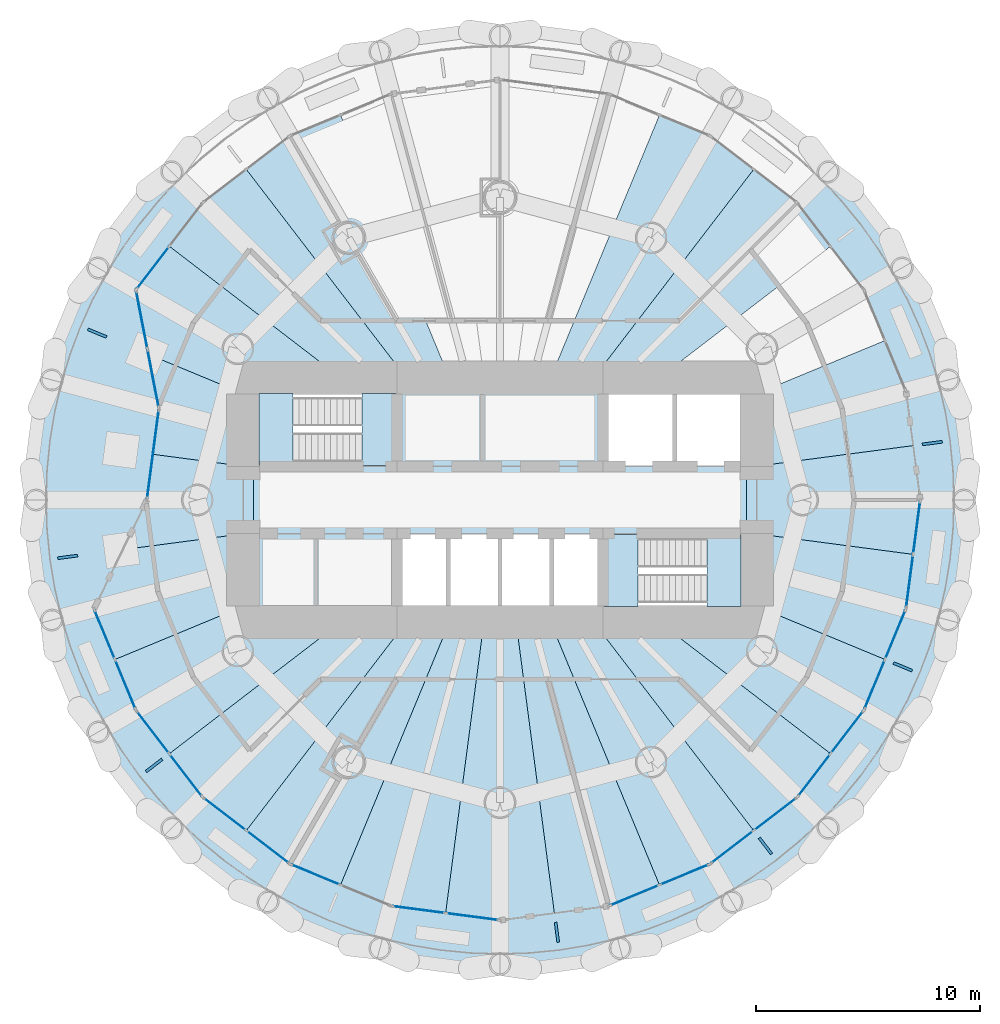
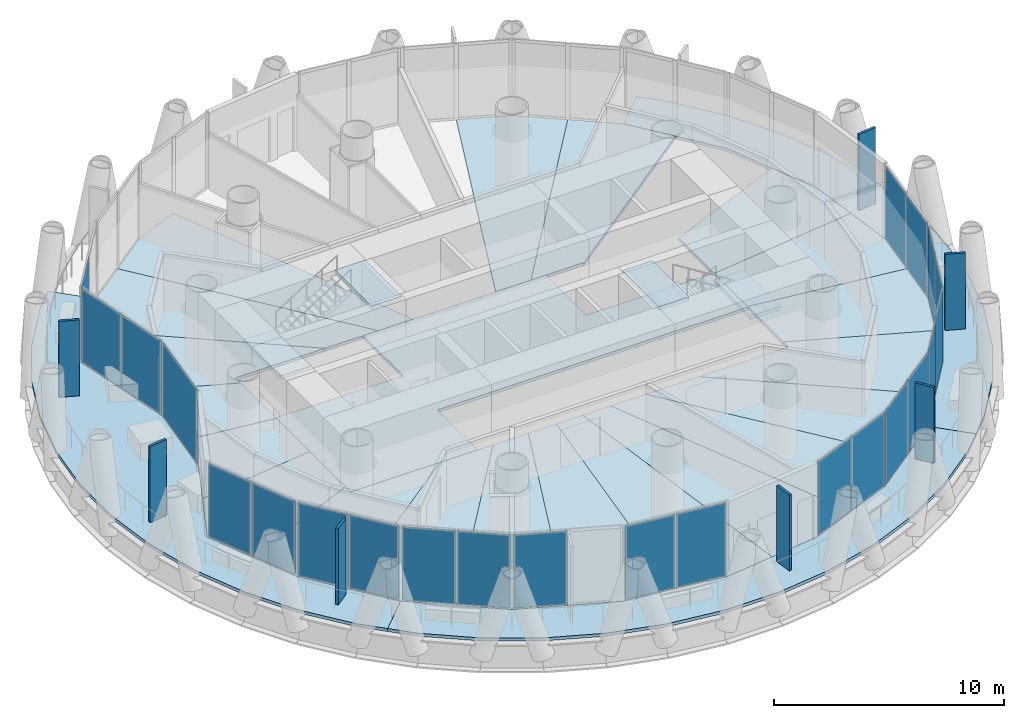
# One storey, part 7 of 15: 30 plates, 28 slabs, 15 elements without a shape of their own.
"""IFC4 building model written with IfcOpenShell, lengths in metres."""

from ifc_helpers import new_model, si_unit, direction, frame, origin, origin_2d, place, context, subcontext, project, spatial, polyline, rectangle, outline, extrude, material, layer, layer_set, type_object, element, aggregate, save


model = new_model("IFC4")

# Units and contexts
model_context = context("Model", 3, precision=1e-05, world=origin(), true_north=direction((0.0, 1.0)))
body_context = subcontext(model_context, "Body", "Model", "MODEL_VIEW")
ifc_project = project(units=[si_unit("LENGTHUNIT", "METRE"), si_unit("AREAUNIT", "SQUARE_METRE"), si_unit("VOLUMEUNIT", "CUBIC_METRE"), si_unit("PLANEANGLEUNIT", "RADIAN"), si_unit("MASSUNIT", "GRAM", prefix="KILO")], contexts=[model_context])

# Site, building, storey
site_placement = place(None, origin())
site = spatial("IfcSite", under=ifc_project, at=site_placement, CompositionType="ELEMENT")
building_placement = place(site_placement, origin())
building = spatial("IfcBuilding", under=site, at=building_placement, Name="Qaws Media Tower", CompositionType="ELEMENT")
storey_placement = place(building_placement, frame((0.0, 0.0, 273.800048828125)))
storey = spatial("IfcBuildingStorey", under=building, at=storey_placement, Name="L63", CompositionType="ELEMENT", Elevation=273.800048828125)

# Slabs
ifc_material_1 = material(Name="Concrete C35/45", Category="concrete")
ifc_layer_1 = layer(ifc_material_1, 0.159912109375)
ifc_layer_set_1 = layer_set([ifc_layer_1], Name="Composite balcony slab 160")
slab_type_1 = type_object("IfcSlabType", Name="Composite balcony slab 160", PredefinedType="FLOOR", material=ifc_layer_set_1)
slab_1_placement = place(storey_placement, frame((0.0, 0.0, -0.16015625)))
element("IfcSlab", 1, at=slab_1_placement, inside=storey, type_object=slab_type_1, Name="S2 balcony slab L63 R10 to R16, movement joints on R10 and R16", PredefinedType="FLOOR", context=body_context, shape_type="SweptSolid", body=[
    extrude(outline(polyline([(44.2490234375, 36.186767578125), (42.580810546875, 38.36083984375), (41.21044921875, 40.734130859375), (40.161865234375, 43.265869140625), (39.452392578125, 45.912841796875), (39.094970703125, 48.6298828125), (39.094970703125, 51.3701171875), (39.452392578125, 54.087158203125), (40.161865234375, 56.734130859375), (41.21044921875, 59.265869140625), (42.580810546875, 61.63916015625), (44.2490234375, 63.813232421875), (45.2177734375, 64.7822265625), (46.74169921875, 63.25830078125), (43.761962890625, 59.375), (44.78662109375, 54.076416015625), (44.25, 50.0), (41.888916015625, 45.147216796875), (43.761962890625, 40.625), (46.74169921875, 36.74169921875), (45.2177734375, 35.2177734375), (44.2490234375, 36.186767578125)])), origin(), (0.0, 0.0, 1.0), 0.16015625),
])
slab_2_placement = place(storey_placement, frame((0.0, 0.0, -0.16015625)))
element("IfcSlab", 2, at=slab_2_placement, inside=storey, type_object=slab_type_1, Name="S2 balcony slab L63 R16 to R22, movement joints on R16 and R22", PredefinedType="FLOOR", context=body_context, shape_type="SweptSolid", body=[
    extrude(outline(polyline([(73.813232421875, 34.2490234375), (71.63916015625, 32.580810546875), (69.265869140625, 31.21044921875), (66.734130859375, 30.161865234375), (64.087158203125, 29.452392578125), (61.3701171875, 29.094970703125), (58.6298828125, 29.094970703125), (55.912841796875, 29.452392578125), (53.265869140625, 30.161865234375), (50.734130859375, 31.21044921875), (48.36083984375, 32.580810546875), (46.186767578125, 34.2490234375), (45.2177734375, 35.2177734375), (46.74169921875, 36.74169921875), (50.625, 33.761962890625), (55.147216796875, 31.888916015625), (60.0, 31.25), (64.852783203125, 31.888916015625), (69.375, 33.761962890625), (73.25830078125, 36.74169921875), (74.7822265625, 35.2177734375), (73.813232421875, 34.2490234375)])), origin(), (0.0, 0.0, 1.0), 0.16015625),
])
slab_3_placement = place(storey_placement, frame((0.0, 0.0, -0.16015625)))
element("IfcSlab", 3, at=slab_3_placement, inside=storey, type_object=slab_type_1, Name="S2 balcony slab L63 R22 to R04, movement joints on R22 and R04", PredefinedType="FLOOR", context=body_context, shape_type="SweptSolid", body=[
    extrude(outline(polyline([(80.547607421875, 45.912841796875), (79.838134765625, 43.265869140625), (78.78955078125, 40.734130859375), (77.419189453125, 38.36083984375), (75.7509765625, 36.186767578125), (74.7822265625, 35.2177734375), (73.25830078125, 36.74169921875), (76.238037109375, 40.625), (78.111083984375, 45.147216796875), (78.75, 50.0), (78.111083984375, 54.852783203125), (76.238037109375, 59.375), (73.25830078125, 63.25830078125), (74.7822265625, 64.7822265625), (75.7509765625, 63.813232421875), (77.419189453125, 61.63916015625), (78.78955078125, 59.265869140625), (79.838134765625, 56.734130859375), (80.547607421875, 54.087158203125), (80.905029296875, 51.3701171875), (80.905029296875, 48.6298828125), (80.547607421875, 45.912841796875)])), origin(), (0.0, 0.0, 1.0), 0.16015625),
])
ifc_material_2 = material(Name="Concrete C35/45", Category="concrete")
ifc_layer_2 = layer(ifc_material_2, 0.159912109375)
ifc_layer_set_2 = layer_set([ifc_layer_2], Name="Composite floor slab 160")
slab_type_2 = type_object("IfcSlabType", Name="Composite floor slab 160", PredefinedType="FLOOR", material=ifc_layer_set_2)
slab_4_placement = place(storey_placement, frame((0.0, 0.0, -0.16015625)))
element("IfcSlab", 4, at=slab_4_placement, inside=storey, type_object=slab_type_2, Name="S1 core floor slab L63", PredefinedType="FLOOR", context=body_context, shape_type="SweptSolid", body=[
    extrude(outline(polyline([(71.0, 51.5), (71.0, 48.5), (55.39990234375, 48.5), (55.39990234375, 45.0), (49.0, 45.0), (49.0, 51.5), (55.39990234375, 51.5), (55.39990234375, 55.0), (64.60009765625, 55.0), (64.60009765625, 51.5), (71.0, 51.5)])), origin(), (0.0, 0.0, 1.0), 0.16015625),
])
slab_5_placement = place(storey_placement, frame((0.0, 0.0, -0.16015625)))
element("IfcSlab", 5, at=slab_5_placement, inside=storey, type_object=slab_type_2, Name="S1 floor panel L63 on R01", PredefinedType="FLOOR", context=body_context, shape_type="SweptSolid", body=[
    extrude(outline(polyline([(78.75, 50.0), (78.4306640625, 47.573486328125), (71.0, 48.5517578125), (71.0, 51.4482421875), (78.4306640625, 52.426513671875), (78.75, 50.0)])), origin(), (0.0, 0.0, 1.0), 0.16015625),
])
slab_6_placement = place(storey_placement, frame((0.0, 0.0, -0.16015625)))
element("IfcSlab", 6, at=slab_6_placement, inside=storey, type_object=slab_type_2, Name="S1 floor panel L63 on R02", PredefinedType="FLOOR", context=body_context, shape_type="SweptSolid", body=[
    extrude(outline(polyline([(78.111083984375, 54.852783203125), (78.4306640625, 52.426513671875), (71.0, 51.4482421875), (71.0, 54.556396484375), (77.174560546875, 57.114013671875), (78.111083984375, 54.852783203125)])), origin(), (0.0, 0.0, 1.0), 0.16015625),
])
slab_7_placement = place(storey_placement, frame((0.0, 0.0, -0.16015625)))
element("IfcSlab", 7, at=slab_7_placement, inside=storey, type_object=slab_type_2, Name="S1 floor panel L63 on R04", PredefinedType="FLOOR", context=body_context, shape_type="SweptSolid", body=[
    extrude(outline(polyline([(73.25830078125, 63.25830078125), (74.748046875, 61.316650390625), (66.51611328125, 55.0), (63.836669921875, 55.0), (71.316650390625, 64.748046875), (73.25830078125, 63.25830078125)])), origin(), (0.0, 0.0, 1.0), 0.16015625),
])
slab_8_placement = place(storey_placement, frame((0.0, 0.0, -0.16015625)))
element("IfcSlab", 8, at=slab_8_placement, inside=storey, type_object=slab_type_2, Name="S1 floor panel L63 on R05", PredefinedType="FLOOR", context=body_context, shape_type="SweptSolid", body=[
    extrude(outline(polyline([(69.375, 66.238037109375), (71.316650390625, 64.748046875), (63.836669921875, 55.0), (62.071044921875, 55.0), (67.114013671875, 67.174560546875), (69.375, 66.238037109375)])), origin(), (0.0, 0.0, 1.0), 0.16015625),
])
slab_9_placement = place(storey_placement, frame((0.0, 0.0, -0.16015625)))
element("IfcSlab", 9, at=slab_9_placement, inside=storey, type_object=slab_type_2, Name="S1 floor panel L63 on R09", PredefinedType="FLOOR", context=body_context, shape_type="SweptSolid", body=[
    extrude(outline(polyline([(50.625, 66.238037109375), (52.885986328125, 67.174560546875), (57.928955078125, 55.0), (56.163330078125, 55.0), (48.683349609375, 64.748046875), (50.625, 66.238037109375)])), origin(), (0.0, 0.0, 1.0), 0.16015625),
])
slab_10_placement = place(storey_placement, frame((0.0, 0.0, -0.16015625)))
element("IfcSlab", 10, at=slab_10_placement, inside=storey, type_object=slab_type_2, Name="S1 floor panel L63 on R10", PredefinedType="FLOOR", context=body_context, shape_type="SweptSolid", body=[
    extrude(outline(polyline([(46.74169921875, 63.25830078125), (48.683349609375, 64.748046875), (56.163330078125, 55.0), (53.48388671875, 55.0), (45.251953125, 61.316650390625), (46.74169921875, 63.25830078125)])), origin(), (0.0, 0.0, 1.0), 0.16015625),
])
slab_11_placement = place(storey_placement, frame((0.0, 0.0, -0.16015625)))
element("IfcSlab", 11, at=slab_11_placement, inside=storey, type_object=slab_type_2, Name="S1 floor panel L63 on R11", PredefinedType="FLOOR", context=body_context, shape_type="SweptSolid", body=[
    extrude(outline(polyline([(43.761962890625, 59.375), (45.251953125, 61.316650390625), (53.48388671875, 55.0), (49.0, 55.0), (49.0, 54.556396484375), (44.31884765625, 56.495361328125), (43.761962890625, 59.375)])), origin(), (0.0, 0.0, 1.0), 0.16015625),
])
slab_12_placement = place(storey_placement, frame((0.0, 0.0, -0.16015625)))
element("IfcSlab", 12, at=slab_12_placement, inside=storey, type_object=slab_type_2, Name="S1 floor panel L63 on R12", PredefinedType="FLOOR", context=body_context, shape_type="SweptSolid", body=[
    extrude(outline(polyline([(44.78662109375, 54.076416015625), (44.31884765625, 56.495361328125), (49.0, 54.556396484375), (49.0, 51.4482421875), (44.518310546875, 52.0380859375), (44.78662109375, 54.076416015625)])), origin(), (0.0, 0.0, 1.0), 0.16015625),
])
slab_13_placement = place(storey_placement, frame((0.0, 0.0, -0.16015625)))
element("IfcSlab", 13, at=slab_13_placement, inside=storey, type_object=slab_type_2, Name="S1 floor panel L63 on R13", PredefinedType="FLOOR", context=body_context, shape_type="SweptSolid", body=[
    extrude(outline(polyline([(44.25, 50.0), (44.518310546875, 52.0380859375), (49.0, 51.4482421875), (49.0, 48.5517578125), (43.172119140625, 47.78466796875), (44.25, 50.0)])), origin(), (0.0, 0.0, 1.0), 0.16015625),
])
slab_14_placement = place(storey_placement, frame((0.0, 0.0, -0.16015625)))
element("IfcSlab", 14, at=slab_14_placement, inside=storey, type_object=slab_type_2, Name="S1 floor panel L63 on R14", PredefinedType="FLOOR", context=body_context, shape_type="SweptSolid", body=[
    extrude(outline(polyline([(41.888916015625, 45.147216796875), (43.172119140625, 47.78466796875), (49.0, 48.5517578125), (49.0, 45.443603515625), (42.825439453125, 42.885986328125), (41.888916015625, 45.147216796875)])), origin(), (0.0, 0.0, 1.0), 0.16015625),
])
slab_15_placement = place(storey_placement, frame((0.0, 0.0, -0.16015625)))
element("IfcSlab", 15, at=slab_15_placement, inside=storey, type_object=slab_type_2, Name="S1 floor panel L63 on R15", PredefinedType="FLOOR", context=body_context, shape_type="SweptSolid", body=[
    extrude(outline(polyline([(43.761962890625, 40.625), (42.825439453125, 42.885986328125), (49.0, 45.443603515625), (49.0, 45.0), (53.48388671875, 45.0), (45.251953125, 38.683349609375), (43.761962890625, 40.625)])), origin(), (0.0, 0.0, 1.0), 0.16015625),
])
slab_16_placement = place(storey_placement, frame((0.0, 0.0, -0.16015625)))
element("IfcSlab", 16, at=slab_16_placement, inside=storey, type_object=slab_type_2, Name="S1 floor panel L63 on R16", PredefinedType="FLOOR", context=body_context, shape_type="SweptSolid", body=[
    extrude(outline(polyline([(46.74169921875, 36.74169921875), (45.251953125, 38.683349609375), (53.48388671875, 45.0), (56.163330078125, 45.0), (48.683349609375, 35.251953125), (46.74169921875, 36.74169921875)])), origin(), (0.0, 0.0, 1.0), 0.16015625),
])
slab_17_placement = place(storey_placement, frame((0.0, 0.0, -0.16015625)))
element("IfcSlab", 17, at=slab_17_placement, inside=storey, type_object=slab_type_2, Name="S1 floor panel L63 on R17", PredefinedType="FLOOR", context=body_context, shape_type="SweptSolid", body=[
    extrude(outline(polyline([(50.625, 33.761962890625), (48.683349609375, 35.251953125), (56.163330078125, 45.0), (57.928955078125, 45.0), (52.885986328125, 32.825439453125), (50.625, 33.761962890625)])), origin(), (0.0, 0.0, 1.0), 0.16015625),
])
slab_18_placement = place(storey_placement, frame((0.0, 0.0, -0.16015625)))
element("IfcSlab", 18, at=slab_18_placement, inside=storey, type_object=slab_type_2, Name="S1 floor panel L63 on R18", PredefinedType="FLOOR", context=body_context, shape_type="SweptSolid", body=[
    extrude(outline(polyline([(55.147216796875, 31.888916015625), (52.885986328125, 32.825439453125), (57.928955078125, 45.0), (59.341796875, 45.0), (57.573486328125, 31.5693359375), (55.147216796875, 31.888916015625)])), origin(), (0.0, 0.0, 1.0), 0.16015625),
])
slab_19_placement = place(storey_placement, frame((0.0, 0.0, -0.16015625)))
element("IfcSlab", 19, at=slab_19_placement, inside=storey, type_object=slab_type_2, Name="S1 floor panel L63 on R19", PredefinedType="FLOOR", context=body_context, shape_type="SweptSolid", body=[
    extrude(outline(polyline([(60.0, 31.25), (57.573486328125, 31.5693359375), (59.341796875, 45.0), (60.658203125, 45.0), (62.426513671875, 31.5693359375), (60.0, 31.25)])), origin(), (0.0, 0.0, 1.0), 0.16015625),
])
slab_20_placement = place(storey_placement, frame((0.0, 0.0, -0.16015625)))
element("IfcSlab", 20, at=slab_20_placement, inside=storey, type_object=slab_type_2, Name="S1 floor panel L63 on R20", PredefinedType="FLOOR", context=body_context, shape_type="SweptSolid", body=[
    extrude(outline(polyline([(64.852783203125, 31.888916015625), (62.426513671875, 31.5693359375), (60.658203125, 45.0), (62.071044921875, 45.0), (67.114013671875, 32.825439453125), (64.852783203125, 31.888916015625)])), origin(), (0.0, 0.0, 1.0), 0.16015625),
])
slab_21_placement = place(storey_placement, frame((0.0, 0.0, -0.16015625)))
element("IfcSlab", 21, at=slab_21_placement, inside=storey, type_object=slab_type_2, Name="S1 floor panel L63 on R21", PredefinedType="FLOOR", context=body_context, shape_type="SweptSolid", body=[
    extrude(outline(polyline([(69.375, 33.761962890625), (67.114013671875, 32.825439453125), (62.071044921875, 45.0), (63.836669921875, 45.0), (71.316650390625, 35.251953125), (69.375, 33.761962890625)])), origin(), (0.0, 0.0, 1.0), 0.16015625),
])
slab_22_placement = place(storey_placement, frame((0.0, 0.0, -0.16015625)))
element("IfcSlab", 22, at=slab_22_placement, inside=storey, type_object=slab_type_2, Name="S1 floor panel L63 on R22", PredefinedType="FLOOR", context=body_context, shape_type="SweptSolid", body=[
    extrude(outline(polyline([(73.25830078125, 36.74169921875), (71.316650390625, 35.251953125), (63.836669921875, 45.0), (66.51611328125, 45.0), (74.748046875, 38.683349609375), (73.25830078125, 36.74169921875)])), origin(), (0.0, 0.0, 1.0), 0.16015625),
])
slab_23_placement = place(storey_placement, frame((0.0, 0.0, -0.16015625)))
element("IfcSlab", 23, at=slab_23_placement, inside=storey, type_object=slab_type_2, Name="S1 floor panel L63 on R23", PredefinedType="FLOOR", context=body_context, shape_type="SweptSolid", body=[
    extrude(outline(polyline([(76.238037109375, 40.625), (74.748046875, 38.683349609375), (66.51611328125, 45.0), (71.0, 45.0), (71.0, 45.443603515625), (77.174560546875, 42.885986328125), (76.238037109375, 40.625)])), origin(), (0.0, 0.0, 1.0), 0.16015625),
])
slab_24_placement = place(storey_placement, frame((0.0, 0.0, -0.16015625)))
element("IfcSlab", 24, at=slab_24_placement, inside=storey, type_object=slab_type_2, Name="S1 floor panel L63 on R24", PredefinedType="FLOOR", context=body_context, shape_type="SweptSolid", body=[
    extrude(outline(polyline([(77.174560546875, 42.885986328125), (71.0, 45.443603515625), (71.0, 48.5517578125), (78.4306640625, 47.573486328125), (78.111083984375, 45.147216796875), (77.174560546875, 42.885986328125)])), origin(), (0.0, 0.0, 1.0), 0.16015625),
])

# Curtain wall, plate
ifc_material_3 = material(Name="Aluminium and clear glass", Category="aluminium")
curtain_wall_type_1 = type_object("IfcCurtainWallType", Name="Unitised curtain wall CW-D", PredefinedType="NOTDEFINED", material=ifc_material_3)
curtain_wall_1_placement = place(storey_placement, origin())
curtain_wall_1 = element("IfcCurtainWall", 25, at=curtain_wall_1_placement, inside=storey, type_object=curtain_wall_type_1, Name="CWD curtain wall L63-10", PredefinedType="NOTDEFINED")
ifc_material_4 = material(Name="Clear laminated double glazing", Category="glass")
ifc_layer_3 = layer(ifc_material_4, 0.031982421875)
ifc_layer_set_3 = layer_set([ifc_layer_3], Name="Curtain wall glass unit 32")
plate_type_1 = type_object("IfcPlateType", Name="Curtain wall glass unit 32", PredefinedType="CURTAIN_PANEL", material=ifc_layer_set_3)
plate_1_placement = place(storey_placement, frame((44.51904296875, 60.361572265625, 0.080078125), z_axis=(0.0, 0.0, 1.0), x_axis=(-0.608761421199, -0.793353346284, 0.0)))
plate_1 = element("IfcPlate", 26, at=plate_1_placement, type_object=plate_type_1, Name="CWD panel 2.1", PredefinedType="CURTAIN_PANEL", context=body_context, shape_type="SweptSolid", body=[
    extrude(rectangle(XDim=2.327392578125, YDim=0.031982421875, at=origin_2d()), origin(), (0.0, 0.0, 1.0), 3.8798828125),
])
aggregate(curtain_wall_1, [plate_1])

# Curtain wall, plates
ifc_material_5 = material(Name="Aluminium and clear glass", Category="aluminium")
curtain_wall_type_2 = type_object("IfcCurtainWallType", Name="Loggia curtain wall CW-G", PredefinedType="NOTDEFINED", material=ifc_material_5)
curtain_wall_2_placement = place(storey_placement, origin())
curtain_wall_2 = element("IfcCurtainWall", 27, at=curtain_wall_2_placement, inside=storey, type_object=curtain_wall_type_2, Name="CWG curtain wall L63-11", PredefinedType="NOTDEFINED")
plate_2_placement = place(storey_placement, frame((44.02197265625, 58.03076171875, 0.080078125), z_axis=(0.0, 0.0, 1.0), x_axis=(0.189862680144, -0.981810655212, 0.0)))
plate_2 = element("IfcPlate", 28, at=plate_2_placement, type_object=plate_type_1, Name="CWG panel 1.1", PredefinedType="CURTAIN_PANEL", context=body_context, shape_type="SweptSolid", body=[
    extrude(rectangle(XDim=2.578369140625, YDim=0.031982421875, at=origin_2d()), origin(), (0.0, 0.0, 1.0), 3.8798828125),
])
plate_3_placement = place(storey_placement, frame((44.526611328125, 55.420654296875, 0.080078125), z_axis=(0.0, 0.0, 1.0), x_axis=(0.189862680144, -0.981810655212, 0.0)))
plate_3 = element("IfcPlate", 29, at=plate_3_placement, type_object=plate_type_1, Name="CWG panel 2.1", PredefinedType="CURTAIN_PANEL", context=body_context, shape_type="SweptSolid", body=[
    extrude(rectangle(XDim=2.578369140625, YDim=0.031982421875, at=origin_2d()), origin(), (0.0, 0.0, 1.0), 3.8798828125),
])
aggregate(curtain_wall_2, [plate_2, plate_3])

# Curtain wall, plate
curtain_wall_3_placement = place(storey_placement, origin())
curtain_wall_3 = element("IfcCurtainWall", 30, at=curtain_wall_3_placement, inside=storey, type_object=curtain_wall_type_2, Name="CWG curtain wall L63-12", PredefinedType="NOTDEFINED")
plate_4_placement = place(storey_placement, frame((44.518310546875, 52.0380859375, 0.080078125), z_axis=(0.0, 0.0, 1.0), x_axis=(-0.130526134563, -0.991444868964, 0.0)))
plate_4 = element("IfcPlate", 31, at=plate_4_placement, type_object=plate_type_1, Name="CWG panel 1.1", PredefinedType="CURTAIN_PANEL", context=body_context, shape_type="SweptSolid", body=[
    extrude(rectangle(XDim=3.95166015625, YDim=0.031982421875, at=origin_2d()), origin(), (0.0, 0.0, 1.0), 3.8798828125),
])
aggregate(curtain_wall_3, [plate_4])

# Curtain wall, plates
curtain_wall_4_placement = place(storey_placement, origin())
curtain_wall_4 = element("IfcCurtainWall", 32, at=curtain_wall_4_placement, inside=storey, type_object=curtain_wall_type_1, Name="CWD curtain wall L63-14", PredefinedType="NOTDEFINED")
plate_5_placement = place(storey_placement, frame((42.36474609375, 43.998046875, 0.080078125), z_axis=(0.0, 0.0, 1.0), x_axis=(0.382683439057, -0.923879529739, 0.0)))
plate_5 = element("IfcPlate", 33, at=plate_5_placement, type_object=plate_type_1, Name="CWD panel 1.1", PredefinedType="CURTAIN_PANEL", context=body_context, shape_type="SweptSolid", body=[
    extrude(rectangle(XDim=2.327392578125, YDim=0.031982421875, at=origin_2d()), origin(), (0.0, 0.0, 1.0), 3.8798828125),
])
plate_6_placement = place(storey_placement, frame((43.2861328125, 41.77392578125, 0.080078125), z_axis=(0.0, 0.0, 1.0), x_axis=(0.382683439057, -0.923879529739, 0.0)))
plate_6 = element("IfcPlate", 34, at=plate_6_placement, type_object=plate_type_1, Name="CWD panel 2.1", PredefinedType="CURTAIN_PANEL", context=body_context, shape_type="SweptSolid", body=[
    extrude(rectangle(XDim=2.327392578125, YDim=0.031982421875, at=origin_2d()), origin(), (0.0, 0.0, 1.0), 3.8798828125),
])
aggregate(curtain_wall_4, [plate_5, plate_6])

curtain_wall_5_placement = place(storey_placement, origin())
curtain_wall_5 = element("IfcCurtainWall", 35, at=curtain_wall_5_placement, inside=storey, type_object=curtain_wall_type_1, Name="CWD curtain wall L63-15", PredefinedType="NOTDEFINED")
plate_7_placement = place(storey_placement, frame((44.51904296875, 39.638427734375, 0.080078125), z_axis=(0.0, 0.0, 1.0), x_axis=(0.608761421199, -0.793353346284, 0.0)))
plate_7 = element("IfcPlate", 36, at=plate_7_placement, type_object=plate_type_1, Name="CWD panel 1.1", PredefinedType="CURTAIN_PANEL", context=body_context, shape_type="SweptSolid", body=[
    extrude(rectangle(XDim=2.327392578125, YDim=0.031982421875, at=origin_2d()), origin(), (0.0, 0.0, 1.0), 3.8798828125),
])
plate_8_placement = place(storey_placement, frame((45.984619140625, 37.728515625, 0.080078125), z_axis=(0.0, 0.0, 1.0), x_axis=(0.608761421199, -0.793353346284, 0.0)))
plate_8 = element("IfcPlate", 37, at=plate_8_placement, type_object=plate_type_1, Name="CWD panel 2.1", PredefinedType="CURTAIN_PANEL", context=body_context, shape_type="SweptSolid", body=[
    extrude(rectangle(XDim=2.327392578125, YDim=0.031982421875, at=origin_2d()), origin(), (0.0, 0.0, 1.0), 3.8798828125),
])
aggregate(curtain_wall_5, [plate_7, plate_8])

curtain_wall_6_placement = place(storey_placement, origin())
curtain_wall_6 = element("IfcCurtainWall", 38, at=curtain_wall_6_placement, inside=storey, type_object=curtain_wall_type_1, Name="CWD curtain wall L63-16", PredefinedType="NOTDEFINED")
plate_9_placement = place(storey_placement, frame((47.728515625, 35.984619140625, 0.080078125), z_axis=(0.0, 0.0, 1.0), x_axis=(0.793353346284, -0.608761421199, 0.0)))
plate_9 = element("IfcPlate", 39, at=plate_9_placement, type_object=plate_type_1, Name="CWD panel 1.1", PredefinedType="CURTAIN_PANEL", context=body_context, shape_type="SweptSolid", body=[
    extrude(rectangle(XDim=2.327392578125, YDim=0.031982421875, at=origin_2d()), origin(), (0.0, 0.0, 1.0), 3.8798828125),
])
plate_10_placement = place(storey_placement, frame((49.638427734375, 34.51904296875, 0.080078125), z_axis=(0.0, 0.0, 1.0), x_axis=(0.793353346284, -0.608761421199, 0.0)))
plate_10 = element("IfcPlate", 40, at=plate_10_placement, type_object=plate_type_1, Name="CWD panel 2.1", PredefinedType="CURTAIN_PANEL", context=body_context, shape_type="SweptSolid", body=[
    extrude(rectangle(XDim=2.327392578125, YDim=0.031982421875, at=origin_2d()), origin(), (0.0, 0.0, 1.0), 3.8798828125),
])
aggregate(curtain_wall_6, [plate_9, plate_10])

# Curtain wall, plate
curtain_wall_7_placement = place(storey_placement, origin())
curtain_wall_7 = element("IfcCurtainWall", 41, at=curtain_wall_7_placement, inside=storey, type_object=curtain_wall_type_1, Name="CWD curtain wall L63-17", PredefinedType="NOTDEFINED")
plate_11_placement = place(storey_placement, frame((51.77392578125, 33.2861328125, 0.080078125), z_axis=(0.0, 0.0, 1.0), x_axis=(0.923879529739, -0.382683439057, 0.0)))
plate_11 = element("IfcPlate", 42, at=plate_11_placement, type_object=plate_type_1, Name="CWD panel 1.1", PredefinedType="CURTAIN_PANEL", context=body_context, shape_type="SweptSolid", body=[
    extrude(rectangle(XDim=2.327392578125, YDim=0.031982421875, at=origin_2d()), origin(), (0.0, 0.0, 1.0), 3.8798828125),
])
aggregate(curtain_wall_7, [plate_11])

# Curtain wall, plates
curtain_wall_8_placement = place(storey_placement, origin())
curtain_wall_8 = element("IfcCurtainWall", 43, at=curtain_wall_8_placement, inside=storey, type_object=curtain_wall_type_1, Name="CWD curtain wall L63-18", PredefinedType="NOTDEFINED")
plate_12_placement = place(storey_placement, frame((56.380126953125, 31.7265625, 0.080078125), z_axis=(0.0, 0.0, 1.0), x_axis=(0.991444854619, -0.130526243526, 0.0)))
plate_12 = element("IfcPlate", 44, at=plate_12_placement, type_object=plate_type_1, Name="CWD panel 1.1", PredefinedType="CURTAIN_PANEL", context=body_context, shape_type="SweptSolid", body=[
    extrude(rectangle(XDim=2.327392578125, YDim=0.031982421875, at=origin_2d()), origin(), (0.0, 0.0, 1.0), 3.8798828125),
])
plate_13_placement = place(storey_placement, frame((58.766845703125, 31.412353515625, 0.080078125), z_axis=(0.0, 0.0, 1.0), x_axis=(0.991444854619, -0.130526243526, 0.0)))
plate_13 = element("IfcPlate", 45, at=plate_13_placement, type_object=plate_type_1, Name="CWD panel 2.1", PredefinedType="CURTAIN_PANEL", context=body_context, shape_type="SweptSolid", body=[
    extrude(rectangle(XDim=2.327392578125, YDim=0.031982421875, at=origin_2d()), origin(), (0.0, 0.0, 1.0), 3.8798828125),
])
aggregate(curtain_wall_8, [plate_12, plate_13])

curtain_wall_9_placement = place(storey_placement, origin())
curtain_wall_9 = element("IfcCurtainWall", 46, at=curtain_wall_9_placement, inside=storey, type_object=curtain_wall_type_1, Name="CWD curtain wall L63-20", PredefinedType="NOTDEFINED")
plate_14_placement = place(storey_placement, frame((66.001953125, 32.36474609375, 0.080078125), z_axis=(0.0, 0.0, 1.0), x_axis=(0.923879529739, 0.382683439057, 0.0)))
plate_14 = element("IfcPlate", 47, at=plate_14_placement, type_object=plate_type_1, Name="CWD panel 1.1", PredefinedType="CURTAIN_PANEL", context=body_context, shape_type="SweptSolid", body=[
    extrude(rectangle(XDim=2.327392578125, YDim=0.031982421875, at=origin_2d()), origin(), (0.0, 0.0, 1.0), 3.8798828125),
])
plate_15_placement = place(storey_placement, frame((68.22607421875, 33.2861328125, 0.080078125), z_axis=(0.0, 0.0, 1.0), x_axis=(0.923879529739, 0.382683439057, 0.0)))
plate_15 = element("IfcPlate", 48, at=plate_15_placement, type_object=plate_type_1, Name="CWD panel 2.1", PredefinedType="CURTAIN_PANEL", context=body_context, shape_type="SweptSolid", body=[
    extrude(rectangle(XDim=2.327392578125, YDim=0.031982421875, at=origin_2d()), origin(), (0.0, 0.0, 1.0), 3.8798828125),
])
aggregate(curtain_wall_9, [plate_14, plate_15])

curtain_wall_10_placement = place(storey_placement, origin())
curtain_wall_10 = element("IfcCurtainWall", 49, at=curtain_wall_10_placement, inside=storey, type_object=curtain_wall_type_1, Name="CWD curtain wall L63-21", PredefinedType="NOTDEFINED")
plate_16_placement = place(storey_placement, frame((70.361572265625, 34.51904296875, 0.080078125), z_axis=(0.0, 0.0, 1.0), x_axis=(0.793353346284, 0.608761421199, 0.0)))
plate_16 = element("IfcPlate", 50, at=plate_16_placement, type_object=plate_type_1, Name="CWD panel 1.1", PredefinedType="CURTAIN_PANEL", context=body_context, shape_type="SweptSolid", body=[
    extrude(rectangle(XDim=2.327392578125, YDim=0.031982421875, at=origin_2d()), origin(), (0.0, 0.0, 1.0), 3.8798828125),
])
plate_17_placement = place(storey_placement, frame((72.271484375, 35.984619140625, 0.080078125), z_axis=(0.0, 0.0, 1.0), x_axis=(0.793353346284, 0.608761421199, 0.0)))
plate_17 = element("IfcPlate", 51, at=plate_17_placement, type_object=plate_type_1, Name="CWD panel 2.1", PredefinedType="CURTAIN_PANEL", context=body_context, shape_type="SweptSolid", body=[
    extrude(rectangle(XDim=2.327392578125, YDim=0.031982421875, at=origin_2d()), origin(), (0.0, 0.0, 1.0), 3.8798828125),
])
aggregate(curtain_wall_10, [plate_16, plate_17])

curtain_wall_11_placement = place(storey_placement, origin())
curtain_wall_11 = element("IfcCurtainWall", 52, at=curtain_wall_11_placement, inside=storey, type_object=curtain_wall_type_1, Name="CWD curtain wall L63-22", PredefinedType="NOTDEFINED")
plate_18_placement = place(storey_placement, frame((74.015380859375, 37.728515625, 0.080078125), z_axis=(0.0, 0.0, 1.0), x_axis=(0.608761421199, 0.793353346284, 0.0)))
plate_18 = element("IfcPlate", 53, at=plate_18_placement, type_object=plate_type_1, Name="CWD panel 1.1", PredefinedType="CURTAIN_PANEL", context=body_context, shape_type="SweptSolid", body=[
    extrude(rectangle(XDim=2.327392578125, YDim=0.031982421875, at=origin_2d()), origin(), (0.0, 0.0, 1.0), 3.8798828125),
])
plate_19_placement = place(storey_placement, frame((75.48095703125, 39.638427734375, 0.080078125), z_axis=(0.0, 0.0, 1.0), x_axis=(0.608761421199, 0.793353346284, 0.0)))
plate_19 = element("IfcPlate", 54, at=plate_19_placement, type_object=plate_type_1, Name="CWD panel 2.1", PredefinedType="CURTAIN_PANEL", context=body_context, shape_type="SweptSolid", body=[
    extrude(rectangle(XDim=2.327392578125, YDim=0.031982421875, at=origin_2d()), origin(), (0.0, 0.0, 1.0), 3.8798828125),
])
aggregate(curtain_wall_11, [plate_18, plate_19])

curtain_wall_12_placement = place(storey_placement, origin())
curtain_wall_12 = element("IfcCurtainWall", 55, at=curtain_wall_12_placement, inside=storey, type_object=curtain_wall_type_1, Name="CWD curtain wall L63-23", PredefinedType="NOTDEFINED")
plate_20_placement = place(storey_placement, frame((76.7138671875, 41.77392578125, 0.080078125), z_axis=(0.0, 0.0, 1.0), x_axis=(0.382683439057, 0.923879529739, 0.0)))
plate_20 = element("IfcPlate", 56, at=plate_20_placement, type_object=plate_type_1, Name="CWD panel 1.1", PredefinedType="CURTAIN_PANEL", context=body_context, shape_type="SweptSolid", body=[
    extrude(rectangle(XDim=2.327392578125, YDim=0.031982421875, at=origin_2d()), origin(), (0.0, 0.0, 1.0), 3.8798828125),
])
plate_21_placement = place(storey_placement, frame((77.63525390625, 43.998046875, 0.080078125), z_axis=(0.0, 0.0, 1.0), x_axis=(0.382683439057, 0.923879529739, 0.0)))
plate_21 = element("IfcPlate", 57, at=plate_21_placement, type_object=plate_type_1, Name="CWD panel 2.1", PredefinedType="CURTAIN_PANEL", context=body_context, shape_type="SweptSolid", body=[
    extrude(rectangle(XDim=2.327392578125, YDim=0.031982421875, at=origin_2d()), origin(), (0.0, 0.0, 1.0), 3.8798828125),
])
aggregate(curtain_wall_12, [plate_20, plate_21])

curtain_wall_13_placement = place(storey_placement, origin())
curtain_wall_13 = element("IfcCurtainWall", 58, at=curtain_wall_13_placement, inside=storey, type_object=curtain_wall_type_1, Name="CWD curtain wall L63-24", PredefinedType="NOTDEFINED")
plate_22_placement = place(storey_placement, frame((78.2734375, 46.380126953125, 0.080078125), z_axis=(0.0, 0.0, 1.0), x_axis=(0.130526243526, 0.991444854619, 0.0)))
plate_22 = element("IfcPlate", 59, at=plate_22_placement, type_object=plate_type_1, Name="CWD panel 1.1", PredefinedType="CURTAIN_PANEL", context=body_context, shape_type="SweptSolid", body=[
    extrude(rectangle(XDim=2.327392578125, YDim=0.031982421875, at=origin_2d()), origin(), (0.0, 0.0, 1.0), 3.8798828125),
])
plate_23_placement = place(storey_placement, frame((78.587646484375, 48.766845703125, 0.080078125), z_axis=(0.0, 0.0, 1.0), x_axis=(0.130526243526, 0.991444854619, 0.0)))
plate_23 = element("IfcPlate", 60, at=plate_23_placement, type_object=plate_type_1, Name="CWD panel 2.1", PredefinedType="CURTAIN_PANEL", context=body_context, shape_type="SweptSolid", body=[
    extrude(rectangle(XDim=2.327392578125, YDim=0.031982421875, at=origin_2d()), origin(), (0.0, 0.0, 1.0), 3.8798828125),
])
aggregate(curtain_wall_13, [plate_22, plate_23])

# Plates
ifc_material_6 = material(Name="Precast concrete screen fin", Category="concrete")
ifc_layer_4 = layer(ifc_material_6, 0.1201171875)
ifc_layer_set_4 = layer_set([ifc_layer_4], Name="Screen fin 120x900")
plate_type_2 = type_object("IfcPlateType", Name="Screen fin 120x900", PredefinedType="USERDEFINED", material=ifc_layer_set_4)
for number, where, z_axis, x_axis, name in (
    (61, (79.28369140625, 52.538818359375, 0.0), (0.0, 0.0, 1.0), (0.991444861374, 0.13052619222, 0.0), "SCR1 screen fin L63-01"),
    (62, (42.030517578125, 57.443115234375, 0.0), (0.0, 0.0, 1.0), (-0.923879532511, 0.382683432365, 0.0), "SCR1 screen fin L63-06"),
    (63, (40.71630859375, 47.461181640625, 0.0), (0.0, 0.0, 1.0), (-0.991444861374, -0.13052619222, 0.0), "SCR1 screen fin L63-07"),
    (64, (44.5693359375, 38.15966796875, 0.0), (0.0, 0.0, 1.0), (-0.793353340291, -0.608761429009, 0.0), "SCR1 screen fin L63-08"),
    (65, (62.538818359375, 30.71630859375, 0.0), (0.0, 0.0, 1.0), (0.13052619222, -0.991444861374, 0.0), "SCR1 screen fin L63-10"),
    (66, (71.84033203125, 34.5693359375, 0.0), (0.0, 0.0, 1.0), (0.608761429009, -0.793353340291, 0.0), "SCR1 screen fin L63-11"),
    (67, (77.969482421875, 42.556884765625, 0.0), (0.0, 0.0, 1.0), (0.923879532511, -0.382683432365, 0.0), "SCR1 screen fin L63-12"),
):
    element("IfcPlate", number, at=place(storey_placement, frame(where, z_axis=z_axis, x_axis=x_axis)), inside=storey, type_object=plate_type_2, Name=name, ObjectType="SCREEN", PredefinedType="USERDEFINED", context=body_context, shape_type="SweptSolid", body=[
        extrude(rectangle(XDim=0.89990234375, YDim=0.1201171875, at=origin_2d()), origin(), (0.0, 0.0, 1.0), 4.0400390625),
    ])

# Stair, slabs
ifc_material_7 = material(Name="Concrete C40/50", Category="concrete")
stair_type = type_object("IfcStairType", Name="Exit stair", PredefinedType="HALF_TURN_STAIR", material=ifc_material_7)
stair_1_placement = place(storey_placement, origin())
stair_1 = element("IfcStair", 68, at=stair_1_placement, inside=storey, type_object=stair_type, Name="S1 exit stair L63", PredefinedType="HALF_TURN_STAIR")
ifc_material_8 = material(Name="Concrete C40/50", Category="concrete")
ifc_layer_5 = layer(ifc_material_8, 0.199951171875)
ifc_layer_set_5 = layer_set([ifc_layer_5], Name="Stair landing 200")
slab_type_3 = type_object("IfcSlabType", Name="Stair landing 200", PredefinedType="LANDING", material=ifc_layer_set_5)
slab_25_placement = place(storey_placement, frame((0.0, 0.0, 1.89990234375)))
slab_25 = element("IfcSlab", 69, at=slab_25_placement, type_object=slab_type_3, Name="S1 landing 1", PredefinedType="LANDING", context=body_context, shape_type="SweptSolid", body=[
    extrude(outline(polyline([(49.25, 51.550048828125), (50.760009765625, 51.550048828125), (50.760009765625, 54.75), (49.25, 54.75), (49.25, 51.550048828125)])), origin(), (0.0, 0.0, 1.0), 0.199951171875),
])
slab_26_placement = place(storey_placement, frame((0.0, 0.0, 4.0)))
slab_26 = element("IfcSlab", 70, at=slab_26_placement, type_object=slab_type_3, Name="S1 landing 2", PredefinedType="LANDING", context=body_context, shape_type="SweptSolid", body=[
    extrude(outline(polyline([(53.840087890625, 51.550048828125), (55.35009765625, 51.550048828125), (55.35009765625, 54.75), (53.840087890625, 54.75), (53.840087890625, 51.550048828125)])), origin(), (0.0, 0.0, 1.0), 0.199951171875),
])
aggregate(stair_1, [slab_25, slab_26])

stair_2_placement = place(storey_placement, origin())
stair_2 = element("IfcStair", 71, at=stair_2_placement, inside=storey, type_object=stair_type, Name="S2 exit stair L63", PredefinedType="HALF_TURN_STAIR")
slab_27_placement = place(storey_placement, frame((0.0, 0.0, 1.89990234375)))
slab_27 = element("IfcSlab", 72, at=slab_27_placement, type_object=slab_type_3, Name="S2 landing 1", PredefinedType="LANDING", context=body_context, shape_type="SweptSolid", body=[
    extrude(outline(polyline([(69.239990234375, 45.25), (70.75, 45.25), (70.75, 48.449951171875), (69.239990234375, 48.449951171875), (69.239990234375, 45.25)])), origin(), (0.0, 0.0, 1.0), 0.199951171875),
])
slab_28_placement = place(storey_placement, frame((0.0, 0.0, 4.0)))
slab_28 = element("IfcSlab", 73, at=slab_28_placement, type_object=slab_type_3, Name="S2 landing 2", PredefinedType="LANDING", context=body_context, shape_type="SweptSolid", body=[
    extrude(outline(polyline([(64.64990234375, 45.25), (66.159912109375, 45.25), (66.159912109375, 48.449951171875), (64.64990234375, 48.449951171875), (64.64990234375, 45.25)])), origin(), (0.0, 0.0, 1.0), 0.199951171875),
])
aggregate(stair_2, [slab_27, slab_28])

save(model, "model.ifc")
